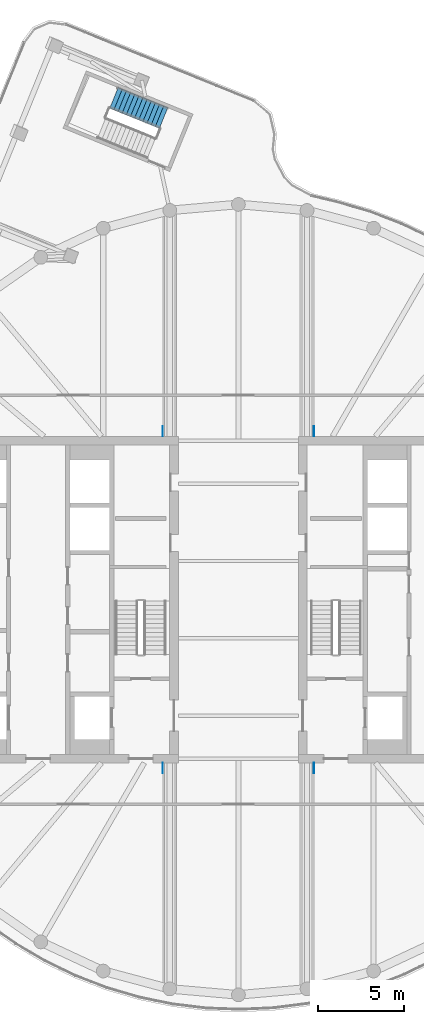
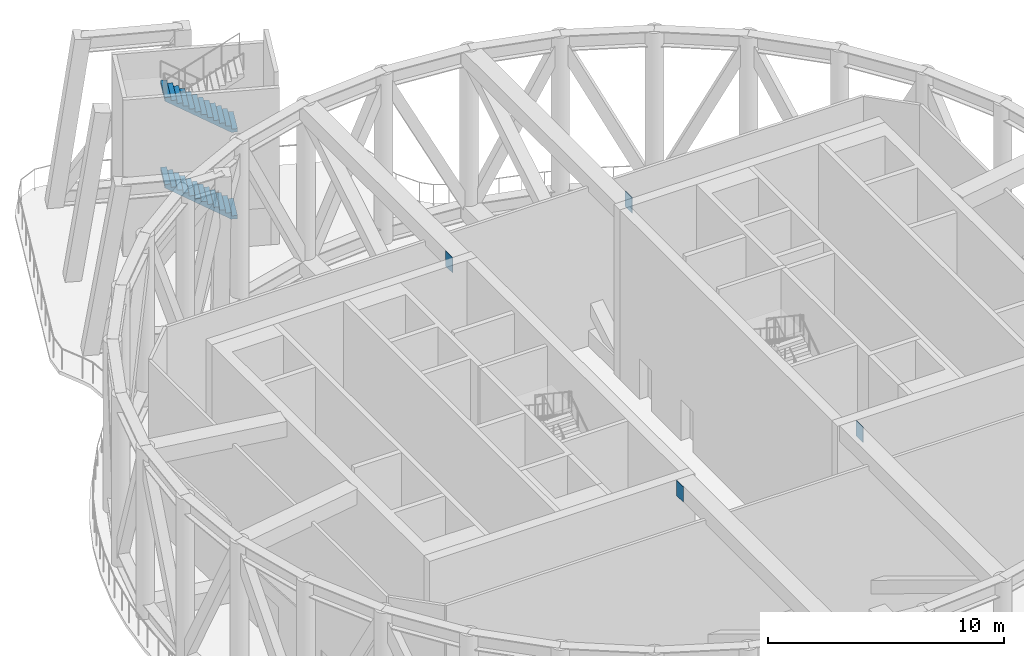
# One storey, part 6 of 10: 4 discrete accessories, 2 stair flights, 1 element without a shape of its own.
"""IFC4 building model written with IfcOpenShell, lengths in metres."""

from ifc_helpers import new_model, si_unit, direction, frame, origin, origin_2d, place, context, subcontext, project, spatial, polyline, rectangle, outline, extrude, material, type_object, element, aggregate, save


model = new_model("IFC4")

# Units and contexts
model_context = context("Model", 3, precision=1e-05, world=origin(), true_north=direction((0.0, 1.0)))
body_context = subcontext(model_context, "Body", "Model", "MODEL_VIEW")
ifc_project = project(units=[si_unit("LENGTHUNIT", "METRE"), si_unit("AREAUNIT", "SQUARE_METRE"), si_unit("VOLUMEUNIT", "CUBIC_METRE"), si_unit("PLANEANGLEUNIT", "RADIAN"), si_unit("MASSUNIT", "GRAM", prefix="KILO")], contexts=[model_context])

# Site, building, storey
site_placement = place(None, origin())
site = spatial("IfcSite", under=ifc_project, at=site_placement, CompositionType="ELEMENT")
building_placement = place(site_placement, origin())
building = spatial("IfcBuilding", under=site, at=building_placement, Name="Tamarind Cross Interchange Tower", CompositionType="ELEMENT")
storey_placement = place(building_placement, frame((0.0, 0.0, 278.39990234375)))
storey = spatial("IfcBuildingStorey", under=building, at=storey_placement, Name="L71", CompositionType="ELEMENT", Elevation=278.39990234375)

# Stair, stair flights
ifc_material_1 = material(Name="Exit stair")
stair_type = type_object("IfcStairType", Name="Exit stair", PredefinedType="HALF_TURN_STAIR", material=ifc_material_1)
stair_placement = place(storey_placement, origin())
stair = element("IfcStair", 1, at=stair_placement, inside=storey, type_object=stair_type, Name="L71 exit stair ST4", PredefinedType="HALF_TURN_STAIR")
ifc_material_2 = material(Name="Exit stair flight")
stair_flight_type = type_object("IfcStairFlightType", Name="Exit stair flight", PredefinedType="STRAIGHT", material=ifc_material_2)
stair_flight_1_placement = place(storey_placement, frame((-4.352294921875, 28.029052734375, 0.0), z_axis=(0.0, 0.0, 1.0), x_axis=(-0.926607406776, 0.376030203187, 0.0)))
stair_flight_1 = element("IfcStairFlight", 2, at=stair_flight_1_placement, type_object=stair_flight_type, Name="ST4 flight 1", NumberOfRisers=13, NumberOfTreads=12, PredefinedType="STRAIGHT", RiserHeight=0.173076923, TreadLength=0.26, context=body_context, shape_type="SweptSolid", body=[
    extrude(outline(polyline([(0.0, 0.0), (0.0, 0.173095703125), (0.260009765625, 0.173095703125), (0.260009765625, 0.34619140625), (0.52001953125, 0.34619140625), (0.52001953125, 0.519287109375), (0.780029296875, 0.519287109375), (0.780029296875, 0.6923828125), (1.0400390625, 0.6923828125), (1.0400390625, 0.865478515625), (1.300048828125, 0.865478515625), (1.300048828125, 1.03857421875), (1.56005859375, 1.03857421875), (1.56005859375, 1.21142578125), (1.820068359375, 1.21142578125), (1.820068359375, 1.384521484375), (2.080078125, 1.384521484375), (2.080078125, 1.5576171875), (2.340087890625, 1.5576171875), (2.340087890625, 1.730712890625), (2.60009765625, 1.730712890625), (2.60009765625, 1.90380859375), (2.860107421875, 1.90380859375), (2.860107421875, 2.076904296875), (3.1201171875, 2.076904296875), (3.1201171875, 2.25), (3.1201171875, 1.896728515625), (0.2705078125, 0.0), (0.0, 0.0)])), frame((0.0, 0.64990234375, 0.0), z_axis=(0.0, -1.0, 0.0), x_axis=(1.0, 0.0, 0.0)), (0.0, 0.0, 1.0), 1.300048828125),
])
stair_flight_2_placement = place(storey_placement, frame((-4.352294921875, 28.029052734375, 4.5), z_axis=(0.0, 0.0, 1.0), x_axis=(-0.926607406776, 0.376030203187, 0.0)))
stair_flight_2 = element("IfcStairFlight", 3, at=stair_flight_2_placement, type_object=stair_flight_type, Name="ST4 flight 3", NumberOfRisers=13, NumberOfTreads=12, PredefinedType="STRAIGHT", RiserHeight=0.173076923, TreadLength=0.26, context=body_context, shape_type="SweptSolid", body=[
    extrude(outline(polyline([(0.0, 0.0), (0.0, 0.173095703125), (0.260009765625, 0.173095703125), (0.260009765625, 0.34619140625), (0.52001953125, 0.34619140625), (0.52001953125, 0.519287109375), (0.780029296875, 0.519287109375), (0.780029296875, 0.6923828125), (1.0400390625, 0.6923828125), (1.0400390625, 0.865478515625), (1.300048828125, 0.865478515625), (1.300048828125, 1.03857421875), (1.56005859375, 1.03857421875), (1.56005859375, 1.21142578125), (1.820068359375, 1.21142578125), (1.820068359375, 1.384521484375), (2.080078125, 1.384521484375), (2.080078125, 1.5576171875), (2.340087890625, 1.5576171875), (2.340087890625, 1.730712890625), (2.60009765625, 1.730712890625), (2.60009765625, 1.90380859375), (2.860107421875, 1.90380859375), (2.860107421875, 2.076904296875), (3.1201171875, 2.076904296875), (3.1201171875, 2.25), (3.1201171875, 1.896728515625), (0.2705078125, 0.0), (0.0, 0.0)])), frame((0.0, 0.64990234375, 0.0), z_axis=(0.0, -1.0, 0.0), x_axis=(1.0, 0.0, 0.0)), (0.0, 0.0, 1.0), 1.300048828125),
])
aggregate(stair, [stair_flight_1, stair_flight_2])

# Discrete accessories
ifc_material_3 = material(Name="Steel Q420B", Category="steel")
discrete_accessory_type = type_object("IfcDiscreteAccessoryType", Name="Gusset plate 20 mm Steel Q420B", PredefinedType="BRACKET", material=ifc_material_3)
for number, where, z_axis, x_axis, name in (
    (4, (4.40380859375, 9.800048828125, 8.0), (0.0, 0.0, 1.0), (1.0, 0.0, 0.0), "Gusset plate H08"),
    (5, (-4.40380859375, 9.800048828125, 8.0), (0.0, 0.0, 1.0), (1.0, 0.0, 0.0), "Gusset plate H10"),
    (6, (-4.40380859375, -9.800048828125, 8.0), (0.0, 0.0, 1.0), (1.0, 0.0, 0.0), "Gusset plate H26"),
    (7, (4.40380859375, -9.800048828125, 8.0), (0.0, 0.0, 1.0), (1.0, 0.0, 0.0), "Gusset plate H28"),
):
    element("IfcDiscreteAccessory", number, at=place(storey_placement, frame(where, z_axis=z_axis, x_axis=x_axis)), inside=storey, type_object=discrete_accessory_type, Name=name, PredefinedType="BRACKET", context=body_context, shape_type="SweptSolid", body=[
        extrude(rectangle(XDim=0.02001953125, YDim=0.60009765625, at=origin_2d()), origin(), (0.0, 0.0, 1.0), 0.800048828125),
    ])

save(model, "model.ifc")
